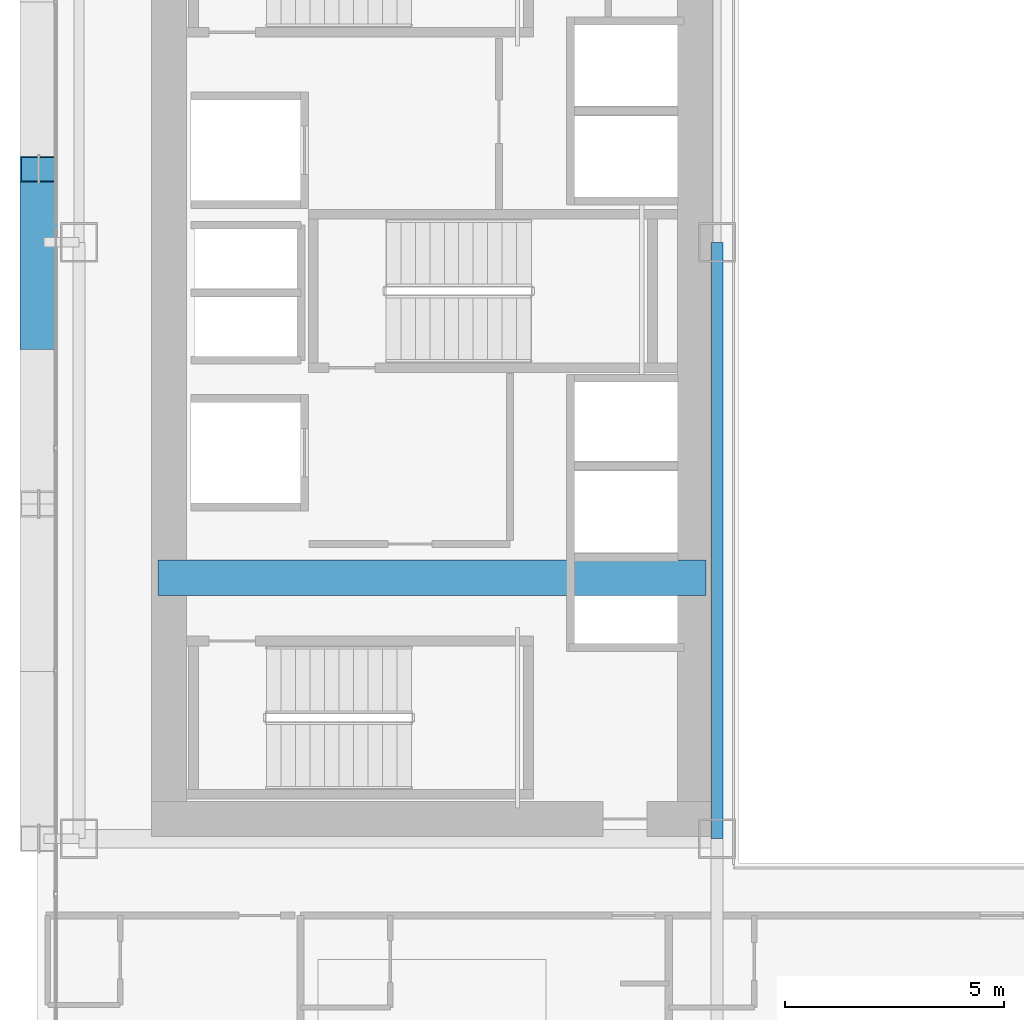
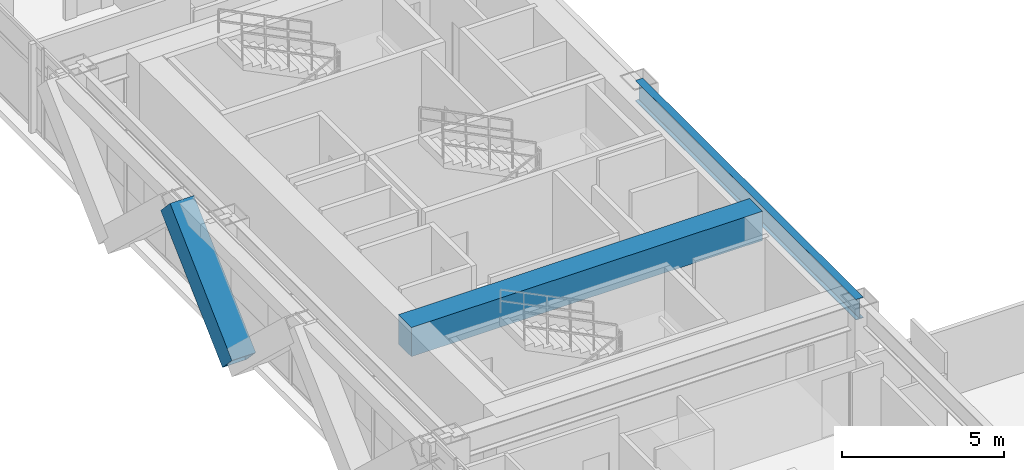
# One storey, part 7 of 38: 2 beams, 1 member.
"""IFC4 building model written with IfcOpenShell, lengths in metres."""

from ifc_helpers import new_model, si_unit, direction, frame, origin, origin_2d, place, context, subcontext, project, spatial, rectangle, hollow_rectangle, i_section, extrude, source, transform, mapped, material, material_profile, profile_set, type_object, element, save


model = new_model("IFC4")

# Units and contexts
model_context = context("Model", 3, precision=1e-05, world=origin(), true_north=direction((0.0, 1.0)))
body_context = subcontext(model_context, "Body", "Model", "MODEL_VIEW")
ifc_project = project(units=[si_unit("LENGTHUNIT", "METRE"), si_unit("AREAUNIT", "SQUARE_METRE"), si_unit("VOLUMEUNIT", "CUBIC_METRE"), si_unit("PLANEANGLEUNIT", "RADIAN"), si_unit("MASSUNIT", "GRAM", prefix="KILO")], contexts=[model_context])

# Site, building, storey
site_placement = place(None, origin())
site = spatial("IfcSite", under=ifc_project, at=site_placement, CompositionType="ELEMENT")
building_placement = place(site_placement, origin())
building = spatial("IfcBuilding", under=site, at=building_placement, Name="Ocotamira Hotel", CompositionType="ELEMENT")
storey_placement = place(building_placement, frame((0.0, 0.0, 60.0)))
storey = spatial("IfcBuildingStorey", under=building, at=storey_placement, Name="L14", CompositionType="ELEMENT", Elevation=60.0)

# Beams
ifc_material_1 = material(Name="Concrete C60/75", Category="concrete")
ifc_material_profile_1 = material_profile(ifc_material_1, rectangle(XDim=0.800048828125, YDim=1.10009765625, at=origin_2d()), Name="RC800X1100")
ifc_profile_set_1 = profile_set([ifc_material_profile_1], Name="Concrete C60/75")
beam_type_1 = type_object("IfcBeamType", Name="BM-LINK-RC800", PredefinedType="LINTEL", material=ifc_profile_set_1)
shared_shape_1 = source(origin(), body_context, "Body", "SweptSolid", [
    extrude(rectangle(XDim=0.800048828125, YDim=1.10009765625, at=origin_2d()), origin(), (0.0, 0.0, 1.0), 12.5),
])
beam_1_placement = place(storey_placement, frame((10.75, 20.5, 2.800048828125), z_axis=(1.0, 0.0, 0.0), x_axis=(0.0, 1.0, 0.0)))
element("IfcBeam", 1, at=beam_1_placement, inside=storey, type_object=beam_type_1, Name="L14 West Core Coupling Beam", PredefinedType="LINTEL", context=body_context, shape_type="MappedRepresentation", body=[
    mapped(shared_shape_1, transform((0.0, 0.0, 0.0), scale=1.0)),
])
ifc_material_2 = material(Name="Steel ASTM A992 Grade 50", Category="steel")
ifc_material_profile_2 = material_profile(ifc_material_2, i_section(OverallWidth=0.26611328125, OverallDepth=0.779052734375, WebThickness=0.0166015625, FlangeThickness=0.030029296875, FilletRadius=0.01806640625, at=origin_2d()), Name="W30X148")
ifc_profile_set_2 = profile_set([ifc_material_profile_2], Name="Steel ASTM A992 Grade 50")
beam_type_2 = type_object("IfcBeamType", Name="BM-GIRD-W30X148", PredefinedType="BEAM", material=ifc_profile_set_2)
shared_shape_2 = source(origin(), body_context, "Body", "SweptSolid", [
    extrude(i_section(OverallWidth=0.26611328125, OverallDepth=0.779052734375, WebThickness=0.0166015625, FlangeThickness=0.030029296875, FilletRadius=0.01806640625, at=origin_2d()), origin(), (0.0, 0.0, 1.0), 13.599853515625),
])
beam_2_placement = place(storey_placement, frame((23.5, 14.550048828125, 2.96044921875), z_axis=(0.0, 1.0, 0.0), x_axis=(-1.0, 0.0, 0.0)))
element("IfcBeam", 2, at=beam_2_placement, inside=storey, type_object=beam_type_2, Name="L14 Beam X23.5 Y14.55-28.15", PredefinedType="BEAM", context=body_context, shape_type="MappedRepresentation", body=[
    mapped(shared_shape_2, transform((0.0, 0.0, 0.0), scale=1.0)),
])

# Member
ifc_material_3 = material(Name="Pale-metal coated steel ASTM A913 Grade 65", Category="steel")
ifc_material_profile_3 = material_profile(ifc_material_3, hollow_rectangle(XDim=0.85009765625, YDim=0.85009765625, WallThickness=0.035888671875, at=origin_2d()), Name="BOX850X850X36")
ifc_profile_set_3 = profile_set([ifc_material_profile_3], Name="Pale-metal coated steel ASTM A913 Grade 65")
member_type = type_object("IfcMemberType", Name="MEM-EXO-BOX850", PredefinedType="BRACE", material=ifc_profile_set_3)
shared_shape_3 = source(origin(), body_context, "Body", "SweptSolid", [
    extrude(hollow_rectangle(XDim=0.85009765625, YDim=0.85009765625, WallThickness=0.035888671875, at=origin_2d()), origin(), (0.0, 0.0, 1.0), 5.24658203125),
])
member_placement = place(storey_placement, frame((8.030029296875, 26.0, -0.5), z_axis=(0.0, 0.727442733726, 0.686168397078), x_axis=(-1.0, 0.0, 0.0)))
element("IfcMember", 3, at=member_placement, inside=storey, type_object=member_type, Name="L14 Exoskeleton Diagrid W1.2", PredefinedType="BRACE", context=body_context, shape_type="MappedRepresentation", body=[
    mapped(shared_shape_3, transform((0.0, 0.0, 0.0), scale=1.0)),
])

save(model, "model.ifc")
